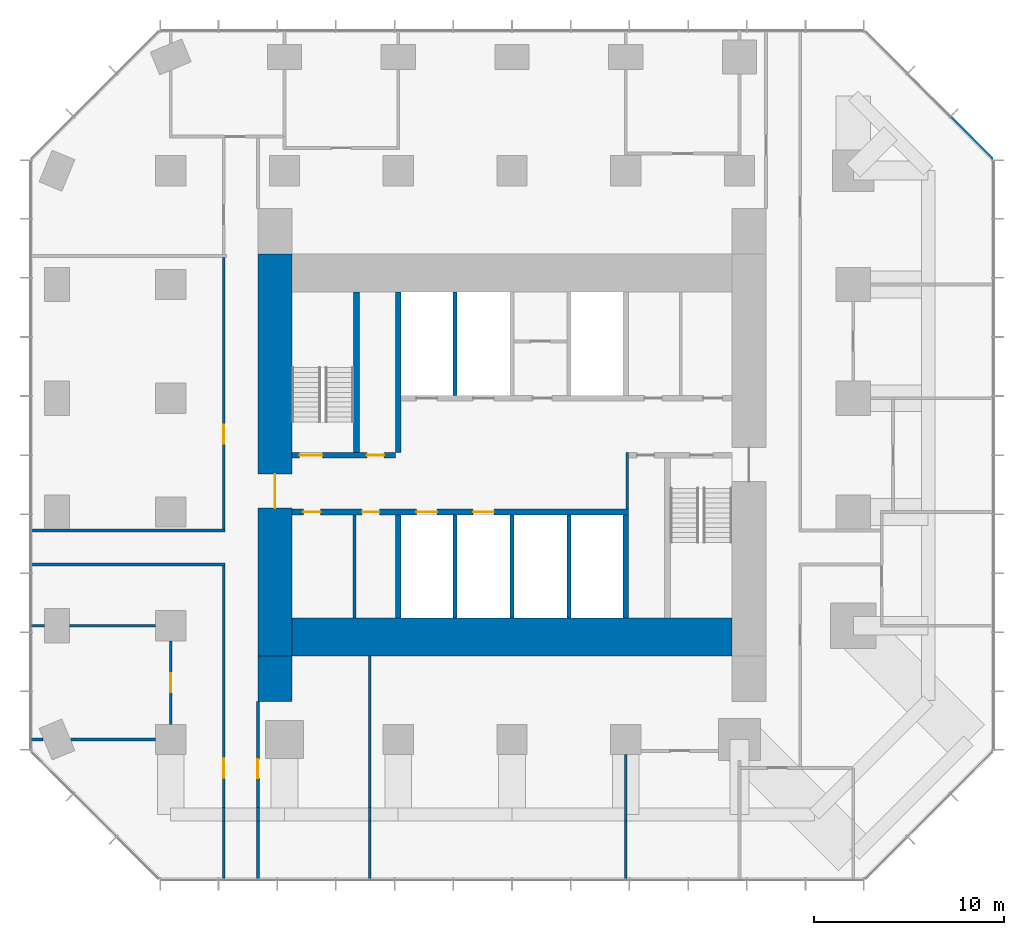
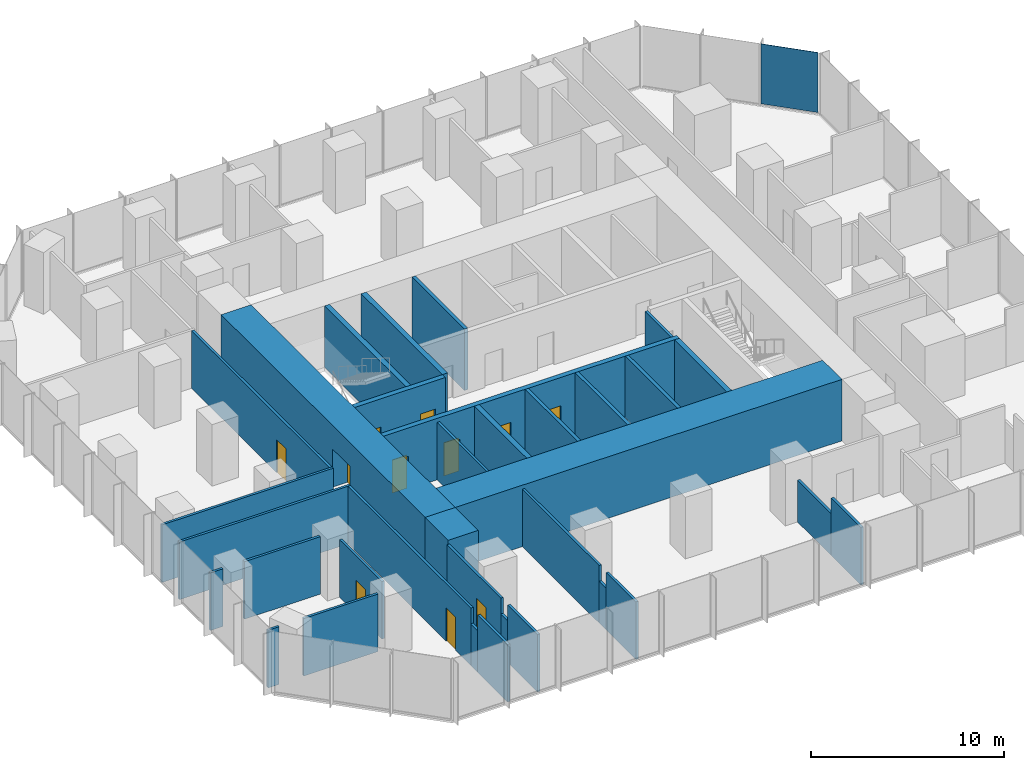
# One storey, part 8 of 11: 34 walls, 11 doors, 1 plate, 11 openings, 1 element without a shape of its own.
"""IFC4 building model written with IfcOpenShell, lengths in metres."""

from ifc_helpers import new_model, si_unit, direction, frame, frame_2d, origin, origin_2d, place, context, subcontext, project, spatial, rectangle, extrude, material, layer, layer_set, type_object, element, fill, aggregate, save


model = new_model("IFC4")

# Units and contexts
model_context = context("Model", 3, precision=1e-05, world=origin(), true_north=direction((0.0, 1.0)))
body_context = subcontext(model_context, "Body", "Model", "MODEL_VIEW")
ifc_project = project(units=[si_unit("LENGTHUNIT", "METRE"), si_unit("AREAUNIT", "SQUARE_METRE"), si_unit("VOLUMEUNIT", "CUBIC_METRE"), si_unit("PLANEANGLEUNIT", "RADIAN"), si_unit("MASSUNIT", "GRAM", prefix="KILO")], contexts=[model_context])

# Site, building, storey
site_placement = place(None, origin())
site = spatial("IfcSite", under=ifc_project, at=site_placement, CompositionType="ELEMENT")
building_placement = place(site_placement, origin())
building = spatial("IfcBuilding", under=site, at=building_placement, Name="Highveld Stack Headquarters", CompositionType="ELEMENT")
storey_placement = place(building_placement, frame((0.0, 0.0, 152.300048828125)))
storey = spatial("IfcBuildingStorey", under=building, at=storey_placement, Name="L37", CompositionType="ELEMENT", Elevation=152.300048828125)

# Curtain wall, plate
ifc_material_1 = material(Name="Aluminium bronze anodised", Category="aluminium")
ifc_layer_1 = layer(ifc_material_1, 0.199951171875)
ifc_layer_set_1 = layer_set([ifc_layer_1], Name="Aluminium bronze anodised")
curtain_wall_type = type_object("IfcCurtainWallType", Name="CW2 TOWER CHAMFER UNITISED CURTAIN WALL", PredefinedType="NOTDEFINED", material=ifc_layer_set_1)
curtain_wall_placement = place(storey_placement, origin())
curtain_wall = element("IfcCurtainWall", 1, at=curtain_wall_placement, inside=storey, type_object=curtain_wall_type, Name="Curtain wall CW2 L37 NE", PredefinedType="NOTDEFINED")
ifc_material_2 = material(Name="Glass bronze tinted double glazed unit", Category="glass")
ifc_layer_2 = layer(ifc_material_2, 0.028076171875)
ifc_layer_set_2 = layer_set([ifc_layer_2], Name="Glass bronze tinted double glazed unit")
plate_type = type_object("IfcPlateType", Name="CW2 PANEL BRONZE TINTED DOUBLE GLAZED UNIT", PredefinedType="CURTAIN_PANEL", material=ifc_layer_set_2)
plate_placement = place(storey_placement, frame((30.239501953125, 19.740478515625, 0.10009765625), z_axis=(0.0, 0.0, 1.0), x_axis=(-0.707106781187, 0.707106781187, 0.0)))
plate = element("IfcPlate", 2, at=plate_placement, type_object=plate_type, Name="CW2 panel L37 1.1", PredefinedType="CURTAIN_PANEL", context=body_context, shape_type="SweptSolid", body=[
    extrude(rectangle(XDim=3.08251953125, YDim=0.028076171875, at=origin_2d()), origin(), (0.0, 0.0, 1.0), 3.800048828125),
])
aggregate(curtain_wall, [plate])

# Wall, opening, door
ifc_material_3 = material(Name="Concrete C60/75", Category="concrete")
ifc_layer_3 = layer(ifc_material_3, 1.800048828125)
ifc_layer_set_3 = layer_set([ifc_layer_3], Name="Concrete C60/75")
wall_type_1 = type_object("IfcWallType", Name="CORE WALL 1800 C60/75", PredefinedType="SHEAR", material=ifc_layer_set_3)
wall_1_placement = place(storey_placement, frame((-6.5, -7.60009765625, 0.0), z_axis=(0.0, 0.0, 1.0), x_axis=(0.0, 1.0, 0.0)))
wall_1 = element("IfcWall", 3, at=wall_1_placement, inside=storey, type_object=wall_type_1, Name="Core wall W L37", PredefinedType="SHEAR", context=body_context, shape_type="SweptSolid", body=[
    extrude(rectangle(XDim=21.2001953125, YDim=1.800048828125, at=frame_2d((10.60009765625, 0.0))), origin(), (0.0, 0.0, 1.0), 3.89990234375),
])
opening_1_placement = place(wall_1_placement, frame((7.800048828125, 0.0, 0.0)))
opening_1 = element("IfcOpeningElement", 4, at=opening_1_placement, cuts=wall_1, Name="Opening L37-01", PredefinedType="OPENING", context=body_context, shape_type="SweptSolid", body=[
    extrude(rectangle(XDim=1.800048828125, YDim=2.39990234375, at=frame_2d((0.89990234375, 1.199951171875))), frame((0.0, 0.909912109375, 0.0), z_axis=(0.0, -1.0, 0.0), x_axis=(1.0, 0.0, 0.0)), (0.0, 0.0, 1.0), 1.820068359375),
])
ifc_material_4 = material(Name="Steel fire door", Category="steel")
door_type_1 = type_object("IfcDoorType", Name="LOBBY FIRE DOOR D4 1800x2400", OperationType="DOUBLE_DOOR_SINGLE_SWING", PredefinedType="DOOR", material=ifc_material_4)
door_1_placement = place(opening_1_placement, origin())
door_1 = element("IfcDoor", 5, at=door_1_placement, inside=storey, type_object=door_type_1, Name="Core west door L37", OperationType="DOUBLE_DOOR_SINGLE_SWING", OverallHeight=2.39990234375, OverallWidth=1.800048828125, PredefinedType="DOOR", context=body_context, shape_type="SweptSolid", body=[
    extrude(rectangle(XDim=1.800048828125, YDim=2.39990234375, at=frame_2d((0.89990234375, 1.199951171875))), frame((0.0, 0.02490234375, 0.0), z_axis=(0.0, -1.0, 0.0), x_axis=(1.0, 0.0, 0.0)), (0.0, 0.0, 1.0), 0.050048828125),
])
fill(opening_1, door_1)

# Wall
ifc_material_5 = material(Name="Concrete C60/75", Category="concrete")
ifc_layer_4 = layer(ifc_material_5, 2.0)
ifc_layer_set_4 = layer_set([ifc_layer_4], Name="Concrete C60/75")
wall_type_2 = type_object("IfcWallType", Name="CORE WALL 2000 C60/75", PredefinedType="SHEAR", material=ifc_layer_set_4)
wall_2_placement = place(storey_placement, frame((-5.60009765625, -6.60009765625, 0.0), z_axis=(0.0, 0.0, 1.0), x_axis=(1.0, 0.0, 0.0)))
element("IfcWall", 6, at=wall_2_placement, inside=storey, type_object=wall_type_2, Name="Core wall S L37", PredefinedType="SHEAR", context=body_context, shape_type="SweptSolid", body=[
    extrude(rectangle(XDim=23.2001953125, YDim=2.0, at=frame_2d((11.60009765625, 0.0))), origin(), (0.0, 0.0, 1.0), 3.89990234375),
])

# Wall, openings, doors
ifc_material_6 = material(Name="Concrete C60/75", Category="concrete")
ifc_layer_5 = layer(ifc_material_6, 0.300048828125)
ifc_layer_set_5 = layer_set([ifc_layer_5], Name="Concrete C60/75")
wall_type_3 = type_object("IfcWallType", Name="CORE WALL 300 C60/75", PredefinedType="SHEAR", material=ifc_layer_set_5)
wall_3_placement = place(storey_placement, frame((-5.60009765625, 0.0, 0.0), z_axis=(0.0, 0.0, 1.0), x_axis=(1.0, 0.0, 0.0)))
wall_3 = element("IfcWall", 7, at=wall_3_placement, inside=storey, type_object=wall_type_3, Name="Core wall I-Y0 L37", PredefinedType="SHEAR", context=body_context, shape_type="SweptSolid", body=[
    extrude(rectangle(XDim=17.75, YDim=0.300048828125, at=frame_2d((8.875, 0.0))), origin(), (0.0, 0.0, 1.0), 3.89990234375),
])
opening_2_placement = place(wall_3_placement, frame((0.60009765625, 0.0, 0.0)))
opening_2 = element("IfcOpeningElement", 8, at=opening_2_placement, cuts=wall_3, Name="Opening L37-07", PredefinedType="OPENING", context=body_context, shape_type="SweptSolid", body=[
    extrude(rectangle(XDim=0.89990234375, YDim=2.10009765625, at=frame_2d((0.449951171875, 1.050048828125))), frame((0.0, 0.159912109375, 0.0), z_axis=(0.0, -1.0, 0.0), x_axis=(1.0, 0.0, 0.0)), (0.0, 0.0, 1.0), 0.320068359375),
])
opening_3_placement = place(wall_3_placement, frame((3.699951171875, 0.0, 0.0)))
opening_3 = element("IfcOpeningElement", 9, at=opening_3_placement, cuts=wall_3, Name="Opening L37-08", PredefinedType="OPENING", context=body_context, shape_type="SweptSolid", body=[
    extrude(rectangle(XDim=0.89990234375, YDim=2.10009765625, at=frame_2d((0.449951171875, 1.050048828125))), frame((0.0, 0.159912109375, 0.0), z_axis=(0.0, -1.0, 0.0), x_axis=(1.0, 0.0, 0.0)), (0.0, 0.0, 1.0), 0.320068359375),
])
opening_4_placement = place(wall_3_placement, frame((6.550048828125, 0.0, 0.0)))
opening_4 = element("IfcOpeningElement", 10, at=opening_4_placement, cuts=wall_3, Name="Opening LD", PredefinedType="OPENING", context=body_context, shape_type="SweptSolid", body=[
    extrude(rectangle(XDim=1.10009765625, YDim=2.10009765625, at=frame_2d((0.550048828125, 1.050048828125))), frame((0.0, 0.159912109375, 0.0), z_axis=(0.0, -1.0, 0.0), x_axis=(1.0, 0.0, 0.0)), (0.0, 0.0, 1.0), 0.320068359375),
])
opening_5_placement = place(wall_3_placement, frame((9.550048828125, 0.0, 0.0)))
opening_5 = element("IfcOpeningElement", 11, at=opening_5_placement, cuts=wall_3, Name="Opening LD", PredefinedType="OPENING", context=body_context, shape_type="SweptSolid", body=[
    extrude(rectangle(XDim=1.10009765625, YDim=2.10009765625, at=frame_2d((0.550048828125, 1.050048828125))), frame((0.0, 0.159912109375, 0.0), z_axis=(0.0, -1.0, 0.0), x_axis=(1.0, 0.0, 0.0)), (0.0, 0.0, 1.0), 0.320068359375),
])
ifc_material_7 = material(Name="Stainless steel lift landing door", Category="steel")
door_type_2 = type_object("IfcDoorType", Name="LIFT LANDING DOOR LD 1100x2100", OperationType="DOUBLE_DOOR_SLIDING", PredefinedType="USERDEFINED", material=ifc_material_7)
door_2_placement = place(opening_4_placement, origin())
door_2 = element("IfcDoor", 12, at=door_2_placement, inside=storey, type_object=door_type_2, Name="Lift landing door B1 L37", ObjectType="LIFT LANDING DOOR", OperationType="DOUBLE_DOOR_SLIDING", OverallHeight=2.10009765625, OverallWidth=1.10009765625, PredefinedType="USERDEFINED", context=body_context, shape_type="SweptSolid", body=[
    extrude(rectangle(XDim=1.10009765625, YDim=2.10009765625, at=frame_2d((0.550048828125, 1.050048828125))), frame((0.0, 0.02490234375, 0.0), z_axis=(0.0, -1.0, 0.0), x_axis=(1.0, 0.0, 0.0)), (0.0, 0.0, 1.0), 0.050048828125),
])
fill(opening_4, door_2)
door_3_placement = place(opening_5_placement, origin())
door_3 = element("IfcDoor", 13, at=door_3_placement, inside=storey, type_object=door_type_2, Name="Lift landing door B2 L37", ObjectType="LIFT LANDING DOOR", OperationType="DOUBLE_DOOR_SLIDING", OverallHeight=2.10009765625, OverallWidth=1.10009765625, PredefinedType="USERDEFINED", context=body_context, shape_type="SweptSolid", body=[
    extrude(rectangle(XDim=1.10009765625, YDim=2.10009765625, at=frame_2d((0.550048828125, 1.050048828125))), frame((0.0, 0.02490234375, 0.0), z_axis=(0.0, -1.0, 0.0), x_axis=(1.0, 0.0, 0.0)), (0.0, 0.0, 1.0), 0.050048828125),
])
fill(opening_5, door_3)
ifc_material_8 = material(Name="Timber door, painted", Category="wood")
door_type_3 = type_object("IfcDoorType", Name="WC DOOR D1 900x2100", OperationType="SINGLE_SWING_LEFT", PredefinedType="DOOR", material=ifc_material_8)
door_4_placement = place(opening_2_placement, origin())
door_4 = element("IfcDoor", 14, at=door_4_placement, inside=storey, type_object=door_type_3, Name="Female WC door L37", OperationType="SINGLE_SWING_LEFT", OverallHeight=2.10009765625, OverallWidth=0.89990234375, PredefinedType="DOOR", context=body_context, shape_type="SweptSolid", body=[
    extrude(rectangle(XDim=0.89990234375, YDim=2.10009765625, at=frame_2d((0.449951171875, 1.050048828125))), frame((0.0, 0.02490234375, 0.0), z_axis=(0.0, -1.0, 0.0), x_axis=(1.0, 0.0, 0.0)), (0.0, 0.0, 1.0), 0.050048828125),
])
fill(opening_2, door_4)
door_5_placement = place(opening_3_placement, origin())
door_5 = element("IfcDoor", 15, at=door_5_placement, inside=storey, type_object=door_type_3, Name="Shower and changing room door L37", OperationType="SINGLE_SWING_LEFT", OverallHeight=2.10009765625, OverallWidth=0.89990234375, PredefinedType="DOOR", context=body_context, shape_type="SweptSolid", body=[
    extrude(rectangle(XDim=0.89990234375, YDim=2.10009765625, at=frame_2d((0.449951171875, 1.050048828125))), frame((0.0, 0.02490234375, 0.0), z_axis=(0.0, -1.0, 0.0), x_axis=(1.0, 0.0, 0.0)), (0.0, 0.0, 1.0), 0.050048828125),
])
fill(opening_3, door_5)

wall_4_placement = place(storey_placement, frame((-5.60009765625, 3.0, 0.0), z_axis=(0.0, 0.0, 1.0), x_axis=(1.0, 0.0, 0.0)))
wall_4 = element("IfcWall", 16, at=wall_4_placement, inside=storey, type_object=wall_type_3, Name="Core wall I-Y3W L37", PredefinedType="SHEAR", context=body_context, shape_type="SweptSolid", body=[
    extrude(rectangle(XDim=5.4501953125, YDim=0.300048828125, at=frame_2d((2.72509765625, 0.0))), origin(), (0.0, 0.0, 1.0), 3.89990234375),
])
opening_6_placement = place(wall_4_placement, frame((0.39990234375, 0.0, 0.0)))
opening_6 = element("IfcOpeningElement", 17, at=opening_6_placement, cuts=wall_4, Name="Opening L37-03", PredefinedType="OPENING", context=body_context, shape_type="SweptSolid", body=[
    extrude(rectangle(XDim=1.199951171875, YDim=2.10009765625, at=frame_2d((0.60009765625, 1.050048828125))), frame((0.0, 0.159912109375, 0.0), z_axis=(0.0, -1.0, 0.0), x_axis=(1.0, 0.0, 0.0)), (0.0, 0.0, 1.0), 0.320068359375),
])
opening_7_placement = place(wall_4_placement, frame((3.949951171875, 0.0, 0.0)))
opening_7 = element("IfcOpeningElement", 18, at=opening_7_placement, cuts=wall_4, Name="Opening L37-04", PredefinedType="OPENING", context=body_context, shape_type="SweptSolid", body=[
    extrude(rectangle(XDim=0.89990234375, YDim=2.10009765625, at=frame_2d((0.449951171875, 1.050048828125))), frame((0.0, 0.159912109375, 0.0), z_axis=(0.0, -1.0, 0.0), x_axis=(1.0, 0.0, 0.0)), (0.0, 0.0, 1.0), 0.320068359375),
])
ifc_material_9 = material(Name="Steel fire door", Category="steel")
door_type_4 = type_object("IfcDoorType", Name="RISER ACCESS DOOR D5 900x2100", OperationType="SINGLE_SWING_LEFT", PredefinedType="DOOR", material=ifc_material_9)
door_6_placement = place(opening_7_placement, origin())
door_6 = element("IfcDoor", 19, at=door_6_placement, inside=storey, type_object=door_type_4, Name="Riser R1 door L37", OperationType="SINGLE_SWING_RIGHT", OverallHeight=2.10009765625, OverallWidth=0.89990234375, PredefinedType="DOOR", context=body_context, shape_type="SweptSolid", body=[
    extrude(rectangle(XDim=0.89990234375, YDim=2.10009765625, at=frame_2d((0.449951171875, 1.050048828125))), frame((0.0, 0.02490234375, 0.0), z_axis=(0.0, -1.0, 0.0), x_axis=(1.0, 0.0, 0.0)), (0.0, 0.0, 1.0), 0.050048828125),
])
fill(opening_7, door_6)
ifc_material_10 = material(Name="Steel fire door", Category="steel")
door_type_5 = type_object("IfcDoorType", Name="STAIR FIRE DOOR D3 1200x2100", OperationType="SINGLE_SWING_LEFT", PredefinedType="DOOR", material=ifc_material_10)
door_7_placement = place(opening_6_placement, origin())
door_7 = element("IfcDoor", 20, at=door_7_placement, inside=storey, type_object=door_type_5, Name="Stair S1 door L37", OperationType="SINGLE_SWING_LEFT", OverallHeight=2.10009765625, OverallWidth=1.199951171875, PredefinedType="DOOR", context=body_context, shape_type="SweptSolid", body=[
    extrude(rectangle(XDim=1.199951171875, YDim=2.10009765625, at=frame_2d((0.60009765625, 1.050048828125))), frame((0.0, 0.02490234375, 0.0), z_axis=(0.0, -1.0, 0.0), x_axis=(1.0, 0.0, 0.0)), (0.0, 0.0, 1.0), 0.050048828125),
])
fill(opening_6, door_7)

# Walls
wall_5_placement = place(storey_placement, frame((0.0, -5.60009765625, 0.0), z_axis=(0.0, 0.0, 1.0), x_axis=(0.0, 1.0, 0.0)))
element("IfcWall", 21, at=wall_5_placement, inside=storey, type_object=wall_type_3, Name="Core wall I-X0S L37", PredefinedType="SHEAR", context=body_context, shape_type="SweptSolid", body=[
    extrude(rectangle(XDim=5.4501953125, YDim=0.300048828125, at=frame_2d((2.72509765625, 0.0))), origin(), (0.0, 0.0, 1.0), 3.89990234375),
])
wall_6_placement = place(storey_placement, frame((0.0, 3.14990234375, 0.0), z_axis=(0.0, 0.0, 1.0), x_axis=(0.0, 1.0, 0.0)))
element("IfcWall", 22, at=wall_6_placement, inside=storey, type_object=wall_type_3, Name="Core wall I-X0N L37", PredefinedType="SHEAR", context=body_context, shape_type="SweptSolid", body=[
    extrude(rectangle(XDim=8.4501953125, YDim=0.300048828125, at=frame_2d((4.22509765625, 0.0))), origin(), (0.0, 0.0, 1.0), 3.89990234375),
])
wall_7_placement = place(storey_placement, frame((12.0, -5.60009765625, 0.0), z_axis=(0.0, 0.0, 1.0), x_axis=(0.0, 1.0, 0.0)))
element("IfcWall", 23, at=wall_7_placement, inside=storey, type_object=wall_type_3, Name="Core wall I-X12S L37", PredefinedType="SHEAR", context=body_context, shape_type="SweptSolid", body=[
    extrude(rectangle(XDim=5.4501953125, YDim=0.300048828125, at=frame_2d((2.72509765625, 0.0))), origin(), (0.0, 0.0, 1.0), 3.89990234375),
])
wall_8_placement = place(storey_placement, frame((-2.199951171875, 3.14990234375, 0.0), z_axis=(0.0, 0.0, 1.0), x_axis=(0.0, 1.0, 0.0)))
element("IfcWall", 24, at=wall_8_placement, inside=storey, type_object=wall_type_3, Name="Core wall I-RW L37", PredefinedType="SHEAR", context=body_context, shape_type="SweptSolid", body=[
    extrude(rectangle(XDim=8.4501953125, YDim=0.300048828125, at=frame_2d((4.22509765625, 0.0))), origin(), (0.0, 0.0, 1.0), 3.89990234375),
])
ifc_material_11 = material(Name="Concrete C60/75", Category="concrete")
ifc_layer_6 = layer(ifc_material_11, 1.800048828125)
ifc_layer_set_6 = layer_set([ifc_layer_6], Name="Concrete C60/75")
wall_type_4 = type_object("IfcWallType", Name="CORE WING WALL 1800 C60/75", PredefinedType="SHEAR", material=ifc_layer_set_6)
wall_9_placement = place(storey_placement, frame((-6.5, -10.0, 0.0), z_axis=(0.0, 0.0, 1.0), x_axis=(0.0, 1.0, 0.0)))
element("IfcWall", 25, at=wall_9_placement, inside=storey, type_object=wall_type_4, Name="Core wing wall WS L37", PredefinedType="SHEAR", context=body_context, shape_type="SweptSolid", body=[
    extrude(rectangle(XDim=2.39990234375, YDim=1.800048828125, at=frame_2d((1.199951171875, 0.0))), origin(), (0.0, 0.0, 1.0), 3.89990234375),
])
ifc_material_12 = material(Name="Concrete blockwork, plastered", Category="masonry")
ifc_layer_7 = layer(ifc_material_12, 0.14990234375)
ifc_layer_set_7 = layer_set([ifc_layer_7], Name="Concrete blockwork, plastered")
wall_type_5 = type_object("IfcWallType", Name="FIRE PARTITION 150 BLOCKWORK", PredefinedType="PARTITIONING", material=ifc_layer_set_7)
wall_10_placement = place(storey_placement, frame((12.074951171875, 0.14990234375, 0.0), z_axis=(0.0, 0.0, 1.0), x_axis=(0.0, 1.0, 0.0)))
element("IfcWall", 26, at=wall_10_placement, inside=storey, type_object=wall_type_5, Name="Riser R2 enclosure L37", PredefinedType="PARTITIONING", context=body_context, shape_type="SweptSolid", body=[
    extrude(rectangle(XDim=3.0, YDim=0.14990234375, at=frame_2d((1.5, 0.0))), origin(), (0.0, 0.0, 1.0), 3.64990234375),
])

# Wall, opening, door
ifc_material_13 = material(Name="Laminated glass in aluminium frame", Category="aluminium")
ifc_layer_8 = layer(ifc_material_13, 0.14990234375)
ifc_layer_set_8 = layer_set([ifc_layer_8], Name="Laminated glass in aluminium frame")
wall_type_6 = type_object("IfcWallType", Name="GLAZED PARTITION 150", PredefinedType="PARTITIONING", material=ifc_layer_set_8)
wall_11_placement = place(storey_placement, frame((-12.0, -11.199951171875, 0.0), z_axis=(0.0, 0.0, 1.0), x_axis=(0.0, 1.0, 0.0)))
wall_11 = element("IfcWall", 27, at=wall_11_placement, inside=storey, type_object=wall_type_6, Name="Glazed partition Meeting room L37", PredefinedType="PARTITIONING", context=body_context, shape_type="SweptSolid", body=[
    extrude(rectangle(XDim=4.39990234375, YDim=0.14990234375, at=frame_2d((2.199951171875, 0.0))), origin(), (0.0, 0.0, 1.0), 3.64990234375),
])
opening_8_placement = place(wall_11_placement, frame((1.699951171875, 0.0, 0.0)))
opening_8 = element("IfcOpeningElement", 28, at=opening_8_placement, cuts=wall_11, Name="Opening L37-15", PredefinedType="OPENING", context=body_context, shape_type="SweptSolid", body=[
    extrude(rectangle(XDim=1.0, YDim=2.10009765625, at=frame_2d((0.5, 1.050048828125))), frame((0.0, 0.0849609375, 0.0), z_axis=(0.0, -1.0, 0.0), x_axis=(1.0, 0.0, 0.0)), (0.0, 0.0, 1.0), 0.169921875),
])
ifc_material_14 = material(Name="Timber door, oiled ash", Category="wood")
door_type_6 = type_object("IfcDoorType", Name="ROOM DOOR D6 1000x2100", OperationType="SINGLE_SWING_LEFT", PredefinedType="DOOR", material=ifc_material_14)
door_8_placement = place(opening_8_placement, origin())
door_8 = element("IfcDoor", 29, at=door_8_placement, inside=storey, type_object=door_type_6, Name="Meeting room door 1 L37", OperationType="SINGLE_SWING_RIGHT", OverallHeight=2.10009765625, OverallWidth=1.0, PredefinedType="DOOR", context=body_context, shape_type="SweptSolid", body=[
    extrude(rectangle(XDim=1.0, YDim=2.10009765625, at=frame_2d((0.5, 1.050048828125))), frame((0.0, 0.02490234375, 0.0), z_axis=(0.0, -1.0, 0.0), x_axis=(1.0, 0.0, 0.0)), (0.0, 0.0, 1.0), 0.050048828125),
])
fill(opening_8, door_8)

# Walls
ifc_material_15 = material(Name="Concrete blockwork, fair-faced", Category="masonry")
ifc_layer_9 = layer(ifc_material_15, 0.199951171875)
ifc_layer_set_9 = layer_set([ifc_layer_9], Name="Concrete blockwork, fair-faced")
wall_type_7 = type_object("IfcWallType", Name="LIFT SHAFT ENCLOSURE WALL 200 BLOCKWORK", PredefinedType="SOLIDWALL", material=ifc_layer_set_9)
for number, where, z_axis, x_axis, name in (
    (30, (3.0, 6.14990234375, 0.0), (0.0, 0.0, 1.0), (0.0, 1.0, 0.0), "Lift shaft wall L37"),
    (31, (3.0, -5.60009765625, 0.0), (0.0, 0.0, 1.0), (0.0, 1.0, 0.0), "Lift shaft wall L37"),
    (32, (6.0, -5.60009765625, 0.0), (0.0, 0.0, 1.0), (0.0, 1.0, 0.0), "Lift shaft wall L37"),
    (33, (9.0, -5.60009765625, 0.0), (0.0, 0.0, 1.0), (0.0, 1.0, 0.0), "Lift shaft wall L37"),
):
    element("IfcWall", number, at=place(storey_placement, frame(where, z_axis=z_axis, x_axis=x_axis)), inside=storey, type_object=wall_type_7, Name=name, PredefinedType="SOLIDWALL", context=body_context, shape_type="SweptSolid", body=[
        extrude(rectangle(XDim=5.4501953125, YDim=0.199951171875, at=frame_2d((2.72509765625, 0.0))), origin(), (0.0, 0.0, 1.0), 3.89990234375),
    ])
ifc_material_16 = material(Name="Gypsum plasterboard on steel studs", Category="steel")
ifc_layer_10 = layer(ifc_material_16, 0.14990234375)
ifc_layer_set_10 = layer_set([ifc_layer_10], Name="Gypsum plasterboard on steel studs")
wall_type_8 = type_object("IfcWallType", Name="PARTITION 150 PLASTERBOARD", PredefinedType="PARTITIONING", material=ifc_layer_set_10)
wall_12_placement = place(storey_placement, frame((-19.39990234375, -12.0, 0.0), z_axis=(0.0, 0.0, 1.0), x_axis=(1.0, 0.0, 0.0)))
element("IfcWall", 34, at=wall_12_placement, inside=storey, type_object=wall_type_8, Name="Partition Meeting room L37", PredefinedType="PARTITIONING", context=body_context, shape_type="SweptSolid", body=[
    extrude(rectangle(XDim=0.665283203125, YDim=0.14990234375, at=frame_2d((0.33251953125, 0.0))), origin(), (0.0, 0.0, 1.0), 3.64990234375),
])
wall_13_placement = place(storey_placement, frame((-17.265380859375, -12.0, 0.0), z_axis=(0.0, 0.0, 1.0), x_axis=(1.0, 0.0, 0.0)))
element("IfcWall", 35, at=wall_13_placement, inside=storey, type_object=wall_type_8, Name="Partition Meeting room L37", PredefinedType="PARTITIONING", context=body_context, shape_type="SweptSolid", body=[
    extrude(rectangle(XDim=4.46533203125, YDim=0.14990234375, at=frame_2d((2.232666015625, 0.0))), origin(), (0.0, 0.0, 1.0), 3.64990234375),
])
wall_14_placement = place(storey_placement, frame((-19.39990234375, -6.0, 0.0), z_axis=(0.0, 0.0, 1.0), x_axis=(1.0, 0.0, 0.0)))
element("IfcWall", 36, at=wall_14_placement, inside=storey, type_object=wall_type_8, Name="Partition Meeting room L37", PredefinedType="PARTITIONING", context=body_context, shape_type="SweptSolid", body=[
    extrude(rectangle(XDim=0.75, YDim=0.14990234375, at=frame_2d((0.375, 0.0))), origin(), (0.0, 0.0, 1.0), 3.64990234375),
])
wall_15_placement = place(storey_placement, frame((-17.35009765625, -6.0, 0.0), z_axis=(0.0, 0.0, 1.0), x_axis=(1.0, 0.0, 0.0)))
element("IfcWall", 37, at=wall_15_placement, inside=storey, type_object=wall_type_8, Name="Partition Meeting room L37", PredefinedType="PARTITIONING", context=body_context, shape_type="SweptSolid", body=[
    extrude(rectangle(XDim=4.550048828125, YDim=0.14990234375, at=frame_2d((2.27490234375, 0.0))), origin(), (0.0, 0.0, 1.0), 3.64990234375),
])
wall_16_placement = place(storey_placement, frame((12.0, -19.39990234375, 0.0), z_axis=(0.0, 0.0, 1.0), x_axis=(0.0, 1.0, 0.0)))
element("IfcWall", 38, at=wall_16_placement, inside=storey, type_object=wall_type_8, Name="Partition Video conference room L37", PredefinedType="PARTITIONING", context=body_context, shape_type="SweptSolid", body=[
    extrude(rectangle(XDim=3.08984375, YDim=0.14990234375, at=frame_2d((1.544921875, 0.0))), origin(), (0.0, 0.0, 1.0), 3.64990234375),
])
wall_17_placement = place(storey_placement, frame((12.0, -16.31005859375, 0.0), z_axis=(0.0, 0.0, 1.0), x_axis=(0.0, 1.0, 0.0)))
element("IfcWall", 39, at=wall_17_placement, inside=storey, type_object=wall_type_8, Name="Partition Video conference room L37", PredefinedType="PARTITIONING", context=body_context, shape_type="SweptSolid", body=[
    extrude(rectangle(XDim=3.510009765625, YDim=0.14990234375, at=frame_2d((1.7548828125, 0.0))), origin(), (0.0, 0.0, 1.0), 2.64990234375),
])
for number, where, z_axis, x_axis, name in (
    (40, (-19.39990234375, -2.77490234375, 0.0), (0.0, 0.0, 1.0), (1.0, 0.0, 0.0), "Partition office neighbourhood L37"),
    (41, (-19.39990234375, -0.97509765625, 0.0), (0.0, 0.0, 1.0), (1.0, 0.0, 0.0), "Partition office neighbourhood L37"),
):
    element("IfcWall", number, at=place(storey_placement, frame(where, z_axis=z_axis, x_axis=x_axis)), inside=storey, type_object=wall_type_8, Name=name, PredefinedType="PARTITIONING", context=body_context, shape_type="SweptSolid", body=[
        extrude(rectangle(XDim=10.27490234375, YDim=0.14990234375, at=frame_2d((5.137451171875, 0.0))), origin(), (0.0, 0.0, 1.0), 3.64990234375),
    ])
wall_18_placement = place(storey_placement, frame((-9.199951171875, -19.39990234375, 0.0), z_axis=(0.0, 0.0, 1.0), x_axis=(0.0, 1.0, 0.0)))
element("IfcWall", 42, at=wall_18_placement, inside=storey, type_object=wall_type_8, Name="Partition office neighbourhood L37", PredefinedType="PARTITIONING", context=body_context, shape_type="SweptSolid", body=[
    extrude(rectangle(XDim=3.08984375, YDim=0.14990234375, at=frame_2d((1.544921875, 0.0))), origin(), (0.0, 0.0, 1.0), 3.64990234375),
])
wall_19_placement = place(storey_placement, frame((-9.199951171875, -16.31005859375, 0.0), z_axis=(0.0, 0.0, 1.0), x_axis=(0.0, 1.0, 0.0)))
element("IfcWall", 43, at=wall_19_placement, inside=storey, type_object=wall_type_8, Name="Partition office neighbourhood L37", PredefinedType="PARTITIONING", context=body_context, shape_type="SweptSolid", body=[
    extrude(rectangle(XDim=0.719970703125, YDim=0.14990234375, at=frame_2d((0.35986328125, 0.0))), origin(), (0.0, 0.0, 1.0), 2.64990234375),
])

# Wall, opening, door
wall_20_placement = place(storey_placement, frame((-9.199951171875, -15.590087890625, 0.0), z_axis=(0.0, 0.0, 1.0), x_axis=(0.0, 1.0, 0.0)))
wall_20 = element("IfcWall", 44, at=wall_20_placement, inside=storey, type_object=wall_type_8, Name="Partition office neighbourhood L37", PredefinedType="PARTITIONING", context=body_context, shape_type="SweptSolid", body=[
    extrude(rectangle(XDim=12.739990234375, YDim=0.14990234375, at=frame_2d((6.3701171875, 0.0))), origin(), (0.0, 0.0, 1.0), 3.64990234375),
])
opening_9_placement = place(wall_20_placement, frame((1.573974609375, 0.0, 0.0)))
opening_9 = element("IfcOpeningElement", 45, at=opening_9_placement, cuts=wall_20, Name="Opening L37-23", PredefinedType="OPENING", context=body_context, shape_type="SweptSolid", body=[
    extrude(rectangle(XDim=1.0, YDim=2.10009765625, at=frame_2d((0.5, 1.050048828125))), frame((0.0, 0.0849609375, 0.0), z_axis=(0.0, -1.0, 0.0), x_axis=(1.0, 0.0, 0.0)), (0.0, 0.0, 1.0), 0.169921875),
])
door_9_placement = place(opening_9_placement, origin())
door_9 = element("IfcDoor", 46, at=door_9_placement, inside=storey, type_object=door_type_6, Name="Office neighbourhood door L37", OperationType="SINGLE_SWING_LEFT", OverallHeight=2.10009765625, OverallWidth=1.0, PredefinedType="DOOR", context=body_context, shape_type="SweptSolid", body=[
    extrude(rectangle(XDim=1.0, YDim=2.10009765625, at=frame_2d((0.5, 1.050048828125))), frame((0.0, 0.02490234375, 0.0), z_axis=(0.0, -1.0, 0.0), x_axis=(1.0, 0.0, 0.0)), (0.0, 0.0, 1.0), 0.050048828125),
])
fill(opening_9, door_9)

wall_21_placement = place(storey_placement, frame((-9.199951171875, -0.89990234375, 0.0), z_axis=(0.0, 0.0, 1.0), x_axis=(0.0, 1.0, 0.0)))
wall_21 = element("IfcWall", 47, at=wall_21_placement, inside=storey, type_object=wall_type_8, Name="Partition office neighbourhood L37", PredefinedType="PARTITIONING", context=body_context, shape_type="SweptSolid", body=[
    extrude(rectangle(XDim=14.324951171875, YDim=0.14990234375, at=frame_2d((7.16259765625, 0.0))), origin(), (0.0, 0.0, 1.0), 3.64990234375),
])
opening_10_placement = place(wall_21_placement, frame((4.490966796875, 0.0, 0.0)))
opening_10 = element("IfcOpeningElement", 48, at=opening_10_placement, cuts=wall_21, Name="Opening L37-25", PredefinedType="OPENING", context=body_context, shape_type="SweptSolid", body=[
    extrude(rectangle(XDim=1.0, YDim=2.10009765625, at=frame_2d((0.5, 1.050048828125))), frame((0.0, 0.0849609375, 0.0), z_axis=(0.0, -1.0, 0.0), x_axis=(1.0, 0.0, 0.0)), (0.0, 0.0, 1.0), 0.169921875),
])
door_10_placement = place(opening_10_placement, origin())
door_10 = element("IfcDoor", 49, at=door_10_placement, inside=storey, type_object=door_type_6, Name="Office neighbourhood door L37", OperationType="SINGLE_SWING_LEFT", OverallHeight=2.10009765625, OverallWidth=1.0, PredefinedType="DOOR", context=body_context, shape_type="SweptSolid", body=[
    extrude(rectangle(XDim=1.0, YDim=2.10009765625, at=frame_2d((0.5, 1.050048828125))), frame((0.0, 0.02490234375, 0.0), z_axis=(0.0, -1.0, 0.0), x_axis=(1.0, 0.0, 0.0)), (0.0, 0.0, 1.0), 0.050048828125),
])
fill(opening_10, door_10)

# Walls
wall_22_placement = place(storey_placement, frame((-7.39990234375, -19.39990234375, 0.0), z_axis=(0.0, 0.0, 1.0), x_axis=(0.0, 1.0, 0.0)))
element("IfcWall", 50, at=wall_22_placement, inside=storey, type_object=wall_type_8, Name="Partition office neighbourhood L37", PredefinedType="PARTITIONING", context=body_context, shape_type="SweptSolid", body=[
    extrude(rectangle(XDim=3.08984375, YDim=0.14990234375, at=frame_2d((1.544921875, 0.0))), origin(), (0.0, 0.0, 1.0), 3.64990234375),
])
wall_23_placement = place(storey_placement, frame((-7.39990234375, -16.31005859375, 0.0), z_axis=(0.0, 0.0, 1.0), x_axis=(0.0, 1.0, 0.0)))
element("IfcWall", 51, at=wall_23_placement, inside=storey, type_object=wall_type_8, Name="Partition office neighbourhood L37", PredefinedType="PARTITIONING", context=body_context, shape_type="SweptSolid", body=[
    extrude(rectangle(XDim=0.719970703125, YDim=0.14990234375, at=frame_2d((0.35986328125, 0.0))), origin(), (0.0, 0.0, 1.0), 2.64990234375),
])

# Wall, opening, door
wall_24_placement = place(storey_placement, frame((-7.39990234375, -15.590087890625, 0.0), z_axis=(0.0, 0.0, 1.0), x_axis=(0.0, 1.0, 0.0)))
wall_24 = element("IfcWall", 52, at=wall_24_placement, inside=storey, type_object=wall_type_8, Name="Partition office neighbourhood L37", PredefinedType="PARTITIONING", context=body_context, shape_type="SweptSolid", body=[
    extrude(rectangle(XDim=5.590087890625, YDim=0.14990234375, at=frame_2d((2.794921875, 0.0))), origin(), (0.0, 0.0, 1.0), 3.64990234375),
])
opening_11_placement = place(wall_24_placement, frame((1.550048828125, 0.0, 0.0)))
opening_11 = element("IfcOpeningElement", 53, at=opening_11_placement, cuts=wall_24, Name="Opening L37-22", PredefinedType="OPENING", context=body_context, shape_type="SweptSolid", body=[
    extrude(rectangle(XDim=1.0, YDim=2.10009765625, at=frame_2d((0.5, 1.050048828125))), frame((0.0, 0.0849609375, 0.0), z_axis=(0.0, -1.0, 0.0), x_axis=(1.0, 0.0, 0.0)), (0.0, 0.0, 1.0), 0.169921875),
])
door_11_placement = place(opening_11_placement, origin())
door_11 = element("IfcDoor", 54, at=door_11_placement, inside=storey, type_object=door_type_6, Name="Office neighbourhood door L37", OperationType="SINGLE_SWING_LEFT", OverallHeight=2.10009765625, OverallWidth=1.0, PredefinedType="DOOR", context=body_context, shape_type="SweptSolid", body=[
    extrude(rectangle(XDim=1.0, YDim=2.10009765625, at=frame_2d((0.5, 1.050048828125))), frame((0.0, 0.02490234375, 0.0), z_axis=(0.0, -1.0, 0.0), x_axis=(1.0, 0.0, 0.0)), (0.0, 0.0, 1.0), 0.050048828125),
])
fill(opening_11, door_11)

# Walls
wall_25_placement = place(storey_placement, frame((-1.5, -19.39990234375, 0.0), z_axis=(0.0, 0.0, 1.0), x_axis=(0.0, 1.0, 0.0)))
element("IfcWall", 55, at=wall_25_placement, inside=storey, type_object=wall_type_8, Name="Partition office neighbourhood L37", PredefinedType="PARTITIONING", context=body_context, shape_type="SweptSolid", body=[
    extrude(rectangle(XDim=3.08984375, YDim=0.14990234375, at=frame_2d((1.544921875, 0.0))), origin(), (0.0, 0.0, 1.0), 3.64990234375),
])
wall_26_placement = place(storey_placement, frame((-1.5, -16.31005859375, 0.0), z_axis=(0.0, 0.0, 1.0), x_axis=(0.0, 1.0, 0.0)))
element("IfcWall", 56, at=wall_26_placement, inside=storey, type_object=wall_type_8, Name="Partition office neighbourhood L37", PredefinedType="PARTITIONING", context=body_context, shape_type="SweptSolid", body=[
    extrude(rectangle(XDim=0.719970703125, YDim=0.14990234375, at=frame_2d((0.35986328125, 0.0))), origin(), (0.0, 0.0, 1.0), 2.64990234375),
])
wall_27_placement = place(storey_placement, frame((-1.5, -15.590087890625, 0.0), z_axis=(0.0, 0.0, 1.0), x_axis=(0.0, 1.0, 0.0)))
element("IfcWall", 57, at=wall_27_placement, inside=storey, type_object=wall_type_8, Name="Partition office neighbourhood L37", PredefinedType="PARTITIONING", context=body_context, shape_type="SweptSolid", body=[
    extrude(rectangle(XDim=7.989990234375, YDim=0.14990234375, at=frame_2d((3.9951171875, 0.0))), origin(), (0.0, 0.0, 1.0), 3.64990234375),
])
ifc_material_17 = material(Name="Concrete blockwork, tiled", Category="masonry")
ifc_layer_11 = layer(ifc_material_17, 0.14990234375)
ifc_layer_set_11 = layer_set([ifc_layer_11], Name="Concrete blockwork, tiled")
wall_type_9 = type_object("IfcWallType", Name="WC PARTITION 150", PredefinedType="PLUMBINGWALL", material=ifc_layer_set_11)
wall_28_placement = place(storey_placement, frame((-2.300048828125, -5.60009765625, 0.0), z_axis=(0.0, 0.0, 1.0), x_axis=(0.0, 1.0, 0.0)))
element("IfcWall", 58, at=wall_28_placement, inside=storey, type_object=wall_type_9, Name="Toilet partition L37", PredefinedType="PLUMBINGWALL", context=body_context, shape_type="SweptSolid", body=[
    extrude(rectangle(XDim=5.4501953125, YDim=0.14990234375, at=frame_2d((2.72509765625, 0.0))), origin(), (0.0, 0.0, 1.0), 3.64990234375),
])

save(model, "model.ifc")
